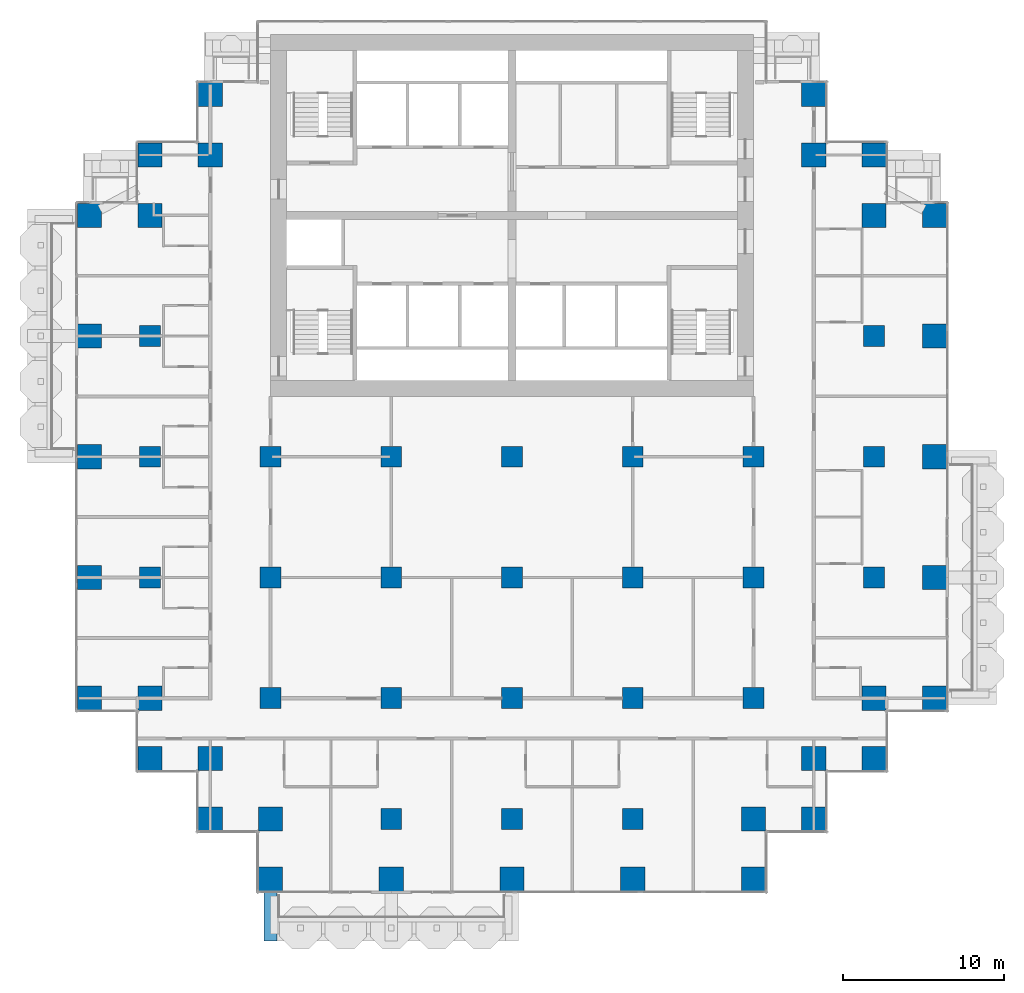
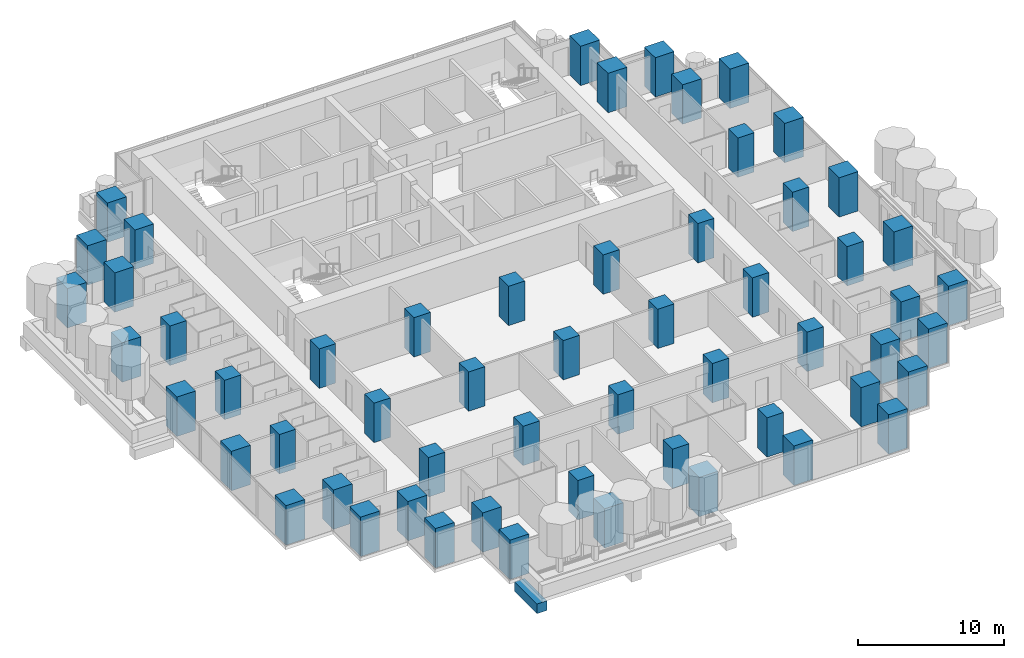
# One storey, part 1 of 18: 57 columns, 1 beam.
"""IFC4 building model written with IfcOpenShell, lengths in metres."""

from ifc_helpers import new_model, si_unit, direction, frame, origin, origin_2d, place, context, subcontext, project, spatial, rectangle, extrude, material, material_profile, profile_set, type_object, element, save


model = new_model("IFC4")

# Units and contexts
model_context = context("Model", 3, precision=1e-05, world=origin(), true_north=direction((0.0, 1.0)))
body_context = subcontext(model_context, "Body", "Model", "MODEL_VIEW")
ifc_project = project(units=[si_unit("LENGTHUNIT", "METRE"), si_unit("AREAUNIT", "SQUARE_METRE"), si_unit("VOLUMEUNIT", "CUBIC_METRE"), si_unit("PLANEANGLEUNIT", "RADIAN"), si_unit("MASSUNIT", "GRAM", prefix="KILO")], contexts=[model_context])

# Site, building, storey
site_placement = place(None, origin())
site = spatial("IfcSite", under=ifc_project, at=site_placement, CompositionType="ELEMENT")
building_placement = place(site_placement, origin())
building = spatial("IfcBuilding", under=site, at=building_placement, Name="Pilkhan Gate Tower", CompositionType="ELEMENT")
storey_placement = place(building_placement, frame((0.0, 0.0, 75.800048828125)))
storey = spatial("IfcBuildingStorey", under=building, at=storey_placement, Name="L17", CompositionType="ELEMENT", Elevation=75.800048828125)

# Columns
ifc_material_1 = material(Name="Concrete C70/85", Category="concrete")
ifc_material_profile_1 = material_profile(ifc_material_1, rectangle(XDim=1.300048828125, YDim=1.300048828125, at=origin_2d()), Name="RC 1300x1300")
ifc_profile_set_1 = profile_set([ifc_material_profile_1], Name="Concrete C70/85")
column_type_1 = type_object("IfcColumnType", Name="Column C130 RC 1300x1300 C70/85", PredefinedType="COLUMN", material=ifc_profile_set_1)
for number, where, z_axis, x_axis, name in (
    (1, (52.5, 60.0, 0.0), (0.0, 0.0, 1.0), (1.0, 0.0, 0.0), "Column 5/F L17"),
    (2, (52.5, 67.5, 0.0), (0.0, 0.0, 1.0), (1.0, 0.0, 0.0), "Column 5/H L17"),
    (3, (52.5, 75.0, 0.0), (0.0, 0.0, 1.0), (1.0, 0.0, 0.0), "Column 5/K L17"),
    (4, (60.0, 52.5, 0.0), (0.0, 0.0, 1.0), (1.0, 0.0, 0.0), "Column 7/D L17"),
    (5, (60.0, 60.0, 0.0), (0.0, 0.0, 1.0), (1.0, 0.0, 0.0), "Column 7/F L17"),
    (6, (60.0, 67.5, 0.0), (0.0, 0.0, 1.0), (1.0, 0.0, 0.0), "Column 7/H L17"),
    (7, (67.5, 45.0, 0.0), (0.0, 0.0, 1.0), (1.0, 0.0, 0.0), "Column 9/B L17"),
    (8, (67.5, 52.5, 0.0), (0.0, 0.0, 1.0), (1.0, 0.0, 0.0), "Column 9/D L17"),
    (9, (67.5, 60.0, 0.0), (0.0, 0.0, 1.0), (1.0, 0.0, 0.0), "Column 9/F L17"),
    (10, (67.5, 67.5, 0.0), (0.0, 0.0, 1.0), (1.0, 0.0, 0.0), "Column 9/H L17"),
    (11, (75.0, 45.0, 0.0), (0.0, 0.0, 1.0), (1.0, 0.0, 0.0), "Column 11/B L17"),
    (12, (75.0, 52.5, 0.0), (0.0, 0.0, 1.0), (1.0, 0.0, 0.0), "Column 11/D L17"),
    (13, (75.0, 60.0, 0.0), (0.0, 0.0, 1.0), (1.0, 0.0, 0.0), "Column 11/F L17"),
    (14, (75.0, 67.5, 0.0), (0.0, 0.0, 1.0), (1.0, 0.0, 0.0), "Column 11/H L17"),
    (15, (82.5, 45.0, 0.0), (0.0, 0.0, 1.0), (1.0, 0.0, 0.0), "Column 13/B L17"),
    (16, (82.5, 52.5, 0.0), (0.0, 0.0, 1.0), (1.0, 0.0, 0.0), "Column 13/D L17"),
    (17, (82.5, 60.0, 0.0), (0.0, 0.0, 1.0), (1.0, 0.0, 0.0), "Column 13/F L17"),
    (18, (82.5, 67.5, 0.0), (0.0, 0.0, 1.0), (1.0, 0.0, 0.0), "Column 13/H L17"),
    (19, (90.0, 52.5, 0.0), (0.0, 0.0, 1.0), (1.0, 0.0, 0.0), "Column 15/D L17"),
    (20, (90.0, 60.0, 0.0), (0.0, 0.0, 1.0), (1.0, 0.0, 0.0), "Column 15/F L17"),
    (21, (90.0, 67.5, 0.0), (0.0, 0.0, 1.0), (1.0, 0.0, 0.0), "Column 15/H L17"),
    (22, (97.5, 60.0, 0.0), (0.0, 0.0, 1.0), (1.0, 0.0, 0.0), "Column 17/F L17"),
    (23, (97.5, 67.5, 0.0), (0.0, 0.0, 1.0), (1.0, 0.0, 0.0), "Column 17/H L17"),
    (24, (97.5, 75.0, 0.0), (0.0, 0.0, 1.0), (1.0, 0.0, 0.0), "Column 17/K L17"),
):
    element("IfcColumn", number, at=place(storey_placement, frame(where, z_axis=z_axis, x_axis=x_axis)), inside=storey, type_object=column_type_1, Name=name, PredefinedType="COLUMN", context=body_context, shape_type="SweptSolid", body=[
        extrude(rectangle(XDim=1.300048828125, YDim=1.300048828125, at=origin_2d()), origin(), (0.0, 0.0, 1.0), 3.300048828125),
    ])
ifc_material_profile_2 = material_profile(ifc_material_1, rectangle(XDim=1.5, YDim=1.5, at=origin_2d()), Name="RC 1500x1500")
ifc_profile_set_2 = profile_set([ifc_material_profile_2], Name="Concrete C70/85")
column_type_2 = type_object("IfcColumnType", Name="Column C150 RC 1500x1500 C70/85", PredefinedType="COLUMN", material=ifc_profile_set_2)
for number, where, z_axis, x_axis, name in (
    (25, (48.75, 52.5, 0.0), (0.0, 0.0, 1.0), (1.0, 0.0, 0.0), "Column 4/D L17"),
    (26, (48.75, 60.0, 0.0), (0.0, 0.0, 1.0), (1.0, 0.0, 0.0), "Column 4/F L17"),
    (27, (48.75, 67.5, 0.0), (0.0, 0.0, 1.0), (1.0, 0.0, 0.0), "Column 4/H L17"),
    (28, (48.75, 75.0, 0.0), (0.0, 0.0, 1.0), (1.0, 0.0, 0.0), "Column 4/K L17"),
    (29, (48.75, 82.5, 0.0), (0.0, 0.0, 1.0), (1.0, 0.0, 0.0), "Column 4/M L17"),
    (30, (52.5, 48.75, 0.0), (0.0, 0.0, 1.0), (1.0, 0.0, 0.0), "Column 5/C L17"),
    (31, (52.5, 52.5, 0.0), (0.0, 0.0, 1.0), (1.0, 0.0, 0.0), "Column 5/D L17"),
    (32, (52.5, 82.5, 0.0), (0.0, 0.0, 1.0), (1.0, 0.0, 0.0), "Column 5/M L17"),
    (33, (52.5, 86.25, 0.0), (0.0, 0.0, 1.0), (1.0, 0.0, 0.0), "Column 5/N L17"),
    (34, (56.25, 45.0, 0.0), (0.0, 0.0, 1.0), (1.0, 0.0, 0.0), "Column 6/B L17"),
    (35, (56.25, 48.75, 0.0), (0.0, 0.0, 1.0), (1.0, 0.0, 0.0), "Column 6/C L17"),
    (36, (56.25, 86.25, 0.0), (0.0, 0.0, 1.0), (1.0, 0.0, 0.0), "Column 6/N L17"),
    (37, (56.25, 90.0, 0.0), (0.0, 0.0, 1.0), (1.0, 0.0, 0.0), "Column 6/P L17"),
    (38, (60.0, 41.25, 0.0), (0.0, 0.0, 1.0), (1.0, 0.0, 0.0), "Column 7/A L17"),
    (39, (60.0, 45.0, 0.0), (0.0, 0.0, 1.0), (1.0, 0.0, 0.0), "Column 7/B L17"),
    (40, (67.5, 41.25, 0.0), (0.0, 0.0, 1.0), (1.0, 0.0, 0.0), "Column 9/A L17"),
    (41, (75.0, 41.25, 0.0), (0.0, 0.0, 1.0), (1.0, 0.0, 0.0), "Column 11/A L17"),
    (42, (82.5, 41.25, 0.0), (0.0, 0.0, 1.0), (1.0, 0.0, 0.0), "Column 13/A L17"),
    (43, (90.0, 41.25, 0.0), (0.0, 0.0, 1.0), (1.0, 0.0, 0.0), "Column 15/A L17"),
    (44, (90.0, 45.0, 0.0), (0.0, 0.0, 1.0), (1.0, 0.0, 0.0), "Column 15/B L17"),
    (45, (93.75, 45.0, 0.0), (0.0, 0.0, 1.0), (1.0, 0.0, 0.0), "Column 16/B L17"),
    (46, (93.75, 48.75, 0.0), (0.0, 0.0, 1.0), (1.0, 0.0, 0.0), "Column 16/C L17"),
    (47, (93.75, 86.25, 0.0), (0.0, 0.0, 1.0), (1.0, 0.0, 0.0), "Column 16/N L17"),
    (48, (93.75, 90.0, 0.0), (0.0, 0.0, 1.0), (1.0, 0.0, 0.0), "Column 16/P L17"),
    (49, (97.5, 48.75, 0.0), (0.0, 0.0, 1.0), (1.0, 0.0, 0.0), "Column 17/C L17"),
    (50, (97.5, 52.5, 0.0), (0.0, 0.0, 1.0), (1.0, 0.0, 0.0), "Column 17/D L17"),
    (51, (97.5, 82.5, 0.0), (0.0, 0.0, 1.0), (1.0, 0.0, 0.0), "Column 17/M L17"),
    (52, (97.5, 86.25, 0.0), (0.0, 0.0, 1.0), (1.0, 0.0, 0.0), "Column 17/N L17"),
    (53, (101.25, 52.5, 0.0), (0.0, 0.0, 1.0), (1.0, 0.0, 0.0), "Column 18/D L17"),
    (54, (101.25, 60.0, 0.0), (0.0, 0.0, 1.0), (1.0, 0.0, 0.0), "Column 18/F L17"),
    (55, (101.25, 67.5, 0.0), (0.0, 0.0, 1.0), (1.0, 0.0, 0.0), "Column 18/H L17"),
    (56, (101.25, 75.0, 0.0), (0.0, 0.0, 1.0), (1.0, 0.0, 0.0), "Column 18/K L17"),
    (57, (101.25, 82.5, 0.0), (0.0, 0.0, 1.0), (1.0, 0.0, 0.0), "Column 18/M L17"),
):
    element("IfcColumn", number, at=place(storey_placement, frame(where, z_axis=z_axis, x_axis=x_axis)), inside=storey, type_object=column_type_2, Name=name, PredefinedType="COLUMN", context=body_context, shape_type="SweptSolid", body=[
        extrude(rectangle(XDim=1.5, YDim=1.5, at=origin_2d()), origin(), (0.0, 0.0, 1.0), 3.300048828125),
    ])

# Beam
ifc_material_2 = material(Name="Concrete C50/60", Category="concrete")
ifc_material_profile_3 = material_profile(ifc_material_2, rectangle(XDim=0.800048828125, YDim=0.800048828125, at=origin_2d()), Name="RC 800x800")
ifc_profile_set_3 = profile_set([ifc_material_profile_3], Name="Concrete C50/60")
beam_type = type_object("IfcBeamType", Name="Cantilever beam CB2 RC 800x800 C50/60", PredefinedType="BEAM", material=ifc_profile_set_3)
beam_placement = place(storey_placement, frame((60.0, 40.5, -0.699951171875), z_axis=(0.0, -1.0, 0.0), x_axis=(1.0, 0.0, 0.0)))
element("IfcBeam", 58, at=beam_placement, inside=storey, type_object=beam_type, Name="Balcony beam S.1 L17", PredefinedType="BEAM", context=body_context, shape_type="SweptSolid", body=[
    extrude(rectangle(XDim=0.800048828125, YDim=0.800048828125, at=origin_2d()), origin(), (0.0, 0.0, 1.0), 3.10009765625),
])

save(model, "model.ifc")
